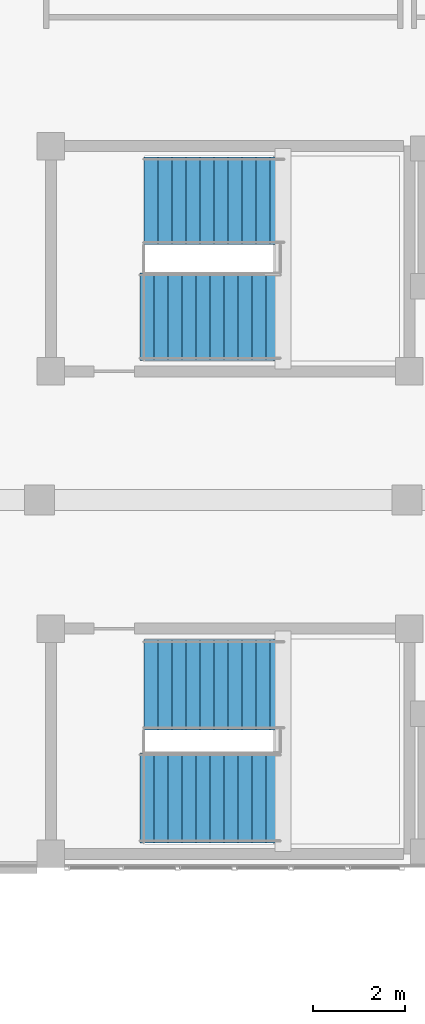
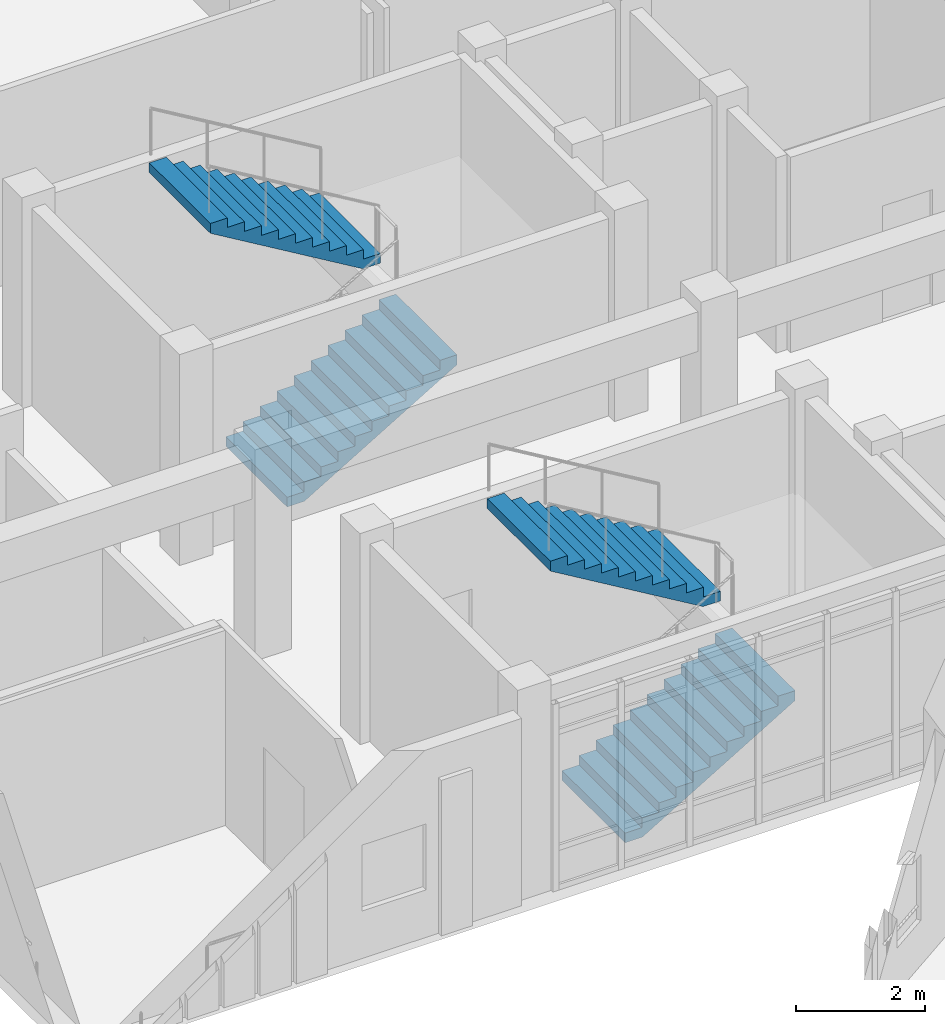
# One storey, part 135 of 149: 4 stair flights, 2 elements without a shape of their own.
"""IFC4 building model written with IfcOpenShell, lengths in metres."""

from ifc_helpers import new_model, si_unit, direction, frame, origin, place, context, subcontext, project, spatial, polyline, outline, extrude, material, type_object, element, aggregate, save


model = new_model("IFC4")

# Units and contexts
model_context = context("Model", 3, precision=1e-05, world=origin(), true_north=direction((0.0, 1.0)))
body_context = subcontext(model_context, "Body", "Model", "MODEL_VIEW")
ifc_project = project(units=[si_unit("LENGTHUNIT", "METRE"), si_unit("AREAUNIT", "SQUARE_METRE"), si_unit("VOLUMEUNIT", "CUBIC_METRE"), si_unit("PLANEANGLEUNIT", "RADIAN"), si_unit("MASSUNIT", "GRAM", prefix="KILO")], contexts=[model_context])

# Site, building, storey
site_placement = place(None, origin())
site = spatial("IfcSite", under=ifc_project, at=site_placement, CompositionType="ELEMENT")
building_placement = place(site_placement, origin())
building = spatial("IfcBuilding", under=site, at=building_placement, Name="Celadon Cloister-Ring School", CompositionType="ELEMENT")
storey_placement = place(building_placement, frame((0.0, 0.0, 12.5)))
storey = spatial("IfcBuildingStorey", under=building, at=storey_placement, Name="L03", CompositionType="ELEMENT", Elevation=12.5)

# Stair, stair flights
ifc_material_1 = material(Name="Concrete C35/45", Category="concrete")
stair_type_1 = type_object("IfcStairType", Name="ST-02", PredefinedType="HALF_TURN_STAIR", material=ifc_material_1)
stair_1_placement = place(storey_placement, origin())
stair_1 = element("IfcStair", 1, at=stair_1_placement, inside=storey, type_object=stair_type_1, Name="Exit Stair ST-V5A L03", PredefinedType="HALF_TURN_STAIR")
ifc_material_2 = material(Name="Concrete C35/45", Category="concrete")
stair_flight_type_1 = type_object("IfcStairFlightType", Name="SFL-01", PredefinedType="STRAIGHT", material=ifc_material_2)
stair_flight_1_placement = place(storey_placement, frame((10.18994140625, 41.52001953125, 0.0), z_axis=(0.0, 0.0, 1.0), x_axis=(1.0, 0.0, 0.0)))
stair_flight_1 = element("IfcStairFlight", 2, at=stair_flight_1_placement, type_object=stair_flight_type_1, Name="ST-02 flight 1", NumberOfRisers=11, NumberOfTreads=10, PredefinedType="STRAIGHT", RiserHeight=0.181818182, TreadLength=0.305, context=body_context, shape_type="SweptSolid", body=[
    extrude(outline(polyline([(0.0, 0.0), (0.0, 0.181884765625), (0.304931640625, 0.181884765625), (0.304931640625, 0.363525390625), (0.610107421875, 0.363525390625), (0.610107421875, 0.54541015625), (0.9150390625, 0.54541015625), (0.9150390625, 0.727294921875), (1.219970703125, 0.727294921875), (1.219970703125, 0.9091796875), (1.52490234375, 0.9091796875), (1.52490234375, 1.0908203125), (1.830078125, 1.0908203125), (1.830078125, 1.272705078125), (2.135009765625, 1.272705078125), (2.135009765625, 1.45458984375), (2.43994140625, 1.45458984375), (2.43994140625, 1.636474609375), (2.7451171875, 1.636474609375), (2.7451171875, 1.818115234375), (3.050048828125, 1.818115234375), (3.050048828125, 2.0), (3.050048828125, 1.632080078125), (0.312255859375, 0.0), (0.0, 0.0)])), frame((0.0, 0.97998046875, 0.0), z_axis=(0.0, -1.0, 0.0), x_axis=(1.0, 0.0, 0.0)), (0.0, 0.0, 1.0), 1.9599609375),
])
stair_flight_2_placement = place(storey_placement, frame((13.320068359375, 43.97998046875, 2.0), z_axis=(0.0, 0.0, 1.0), x_axis=(-1.0, 0.0, 0.0)))
stair_flight_2 = element("IfcStairFlight", 3, at=stair_flight_2_placement, type_object=stair_flight_type_1, Name="ST-02 flight 2", NumberOfRisers=11, NumberOfTreads=10, PredefinedType="STRAIGHT", RiserHeight=0.181818182, TreadLength=0.305, context=body_context, shape_type="SweptSolid", body=[
    extrude(outline(polyline([(0.0, 0.0), (0.0, 0.181884765625), (0.304931640625, 0.181884765625), (0.304931640625, 0.363525390625), (0.610107421875, 0.363525390625), (0.610107421875, 0.54541015625), (0.9150390625, 0.54541015625), (0.9150390625, 0.727294921875), (1.219970703125, 0.727294921875), (1.219970703125, 0.9091796875), (1.52490234375, 0.9091796875), (1.52490234375, 1.0908203125), (1.830078125, 1.0908203125), (1.830078125, 1.272705078125), (2.135009765625, 1.272705078125), (2.135009765625, 1.45458984375), (2.43994140625, 1.45458984375), (2.43994140625, 1.636474609375), (2.7451171875, 1.636474609375), (2.7451171875, 1.818115234375), (3.050048828125, 1.818115234375), (3.050048828125, 2.0), (3.050048828125, 1.632080078125), (0.312255859375, 0.0), (0.0, 0.0)])), frame((0.0, 0.97998046875, 0.0), z_axis=(0.0, -1.0, 0.0), x_axis=(1.0, 0.0, 0.0)), (0.0, 0.0, 1.0), 1.9599609375),
])
aggregate(stair_1, [stair_flight_1, stair_flight_2])

ifc_material_3 = material(Name="Concrete C35/45", Category="concrete")
stair_type_2 = type_object("IfcStairType", Name="ST-04", PredefinedType="HALF_TURN_STAIR", material=ifc_material_3)
stair_2_placement = place(storey_placement, origin())
stair_2 = element("IfcStair", 4, at=stair_2_placement, inside=storey, type_object=stair_type_2, Name="Exit Stair ST-V5B L03", PredefinedType="HALF_TURN_STAIR")
ifc_material_4 = material(Name="Concrete C35/45", Category="concrete")
stair_flight_type_2 = type_object("IfcStairFlightType", Name="SFL-02", PredefinedType="STRAIGHT", material=ifc_material_4)
stair_flight_3_placement = place(storey_placement, frame((10.18994140625, 51.989990234375, 0.0), z_axis=(0.0, 0.0, 1.0), x_axis=(1.0, 0.0, 0.0)))
stair_flight_3 = element("IfcStairFlight", 5, at=stair_flight_3_placement, type_object=stair_flight_type_2, Name="ST-04 flight 1", NumberOfRisers=11, NumberOfTreads=10, PredefinedType="STRAIGHT", RiserHeight=0.181818182, TreadLength=0.305, context=body_context, shape_type="SweptSolid", body=[
    extrude(outline(polyline([(0.0, 0.0), (0.0, 0.181884765625), (0.304931640625, 0.181884765625), (0.304931640625, 0.363525390625), (0.610107421875, 0.363525390625), (0.610107421875, 0.54541015625), (0.9150390625, 0.54541015625), (0.9150390625, 0.727294921875), (1.219970703125, 0.727294921875), (1.219970703125, 0.9091796875), (1.52490234375, 0.9091796875), (1.52490234375, 1.0908203125), (1.830078125, 1.0908203125), (1.830078125, 1.272705078125), (2.135009765625, 1.272705078125), (2.135009765625, 1.45458984375), (2.43994140625, 1.45458984375), (2.43994140625, 1.636474609375), (2.7451171875, 1.636474609375), (2.7451171875, 1.818115234375), (3.050048828125, 1.818115234375), (3.050048828125, 2.0), (3.050048828125, 1.632080078125), (0.312255859375, 0.0), (0.0, 0.0)])), frame((0.0, 0.949951171875, 0.0), z_axis=(0.0, -1.0, 0.0), x_axis=(1.0, 0.0, 0.0)), (0.0, 0.0, 1.0), 1.89990234375),
])
stair_flight_4_placement = place(storey_placement, frame((13.320068359375, 54.510009765625, 2.0), z_axis=(0.0, 0.0, 1.0), x_axis=(-1.0, 0.0, 0.0)))
stair_flight_4 = element("IfcStairFlight", 6, at=stair_flight_4_placement, type_object=stair_flight_type_2, Name="ST-04 flight 2", NumberOfRisers=11, NumberOfTreads=10, PredefinedType="STRAIGHT", RiserHeight=0.181818182, TreadLength=0.305, context=body_context, shape_type="SweptSolid", body=[
    extrude(outline(polyline([(0.0, 0.0), (0.0, 0.181884765625), (0.304931640625, 0.181884765625), (0.304931640625, 0.363525390625), (0.610107421875, 0.363525390625), (0.610107421875, 0.54541015625), (0.9150390625, 0.54541015625), (0.9150390625, 0.727294921875), (1.219970703125, 0.727294921875), (1.219970703125, 0.9091796875), (1.52490234375, 0.9091796875), (1.52490234375, 1.0908203125), (1.830078125, 1.0908203125), (1.830078125, 1.272705078125), (2.135009765625, 1.272705078125), (2.135009765625, 1.45458984375), (2.43994140625, 1.45458984375), (2.43994140625, 1.636474609375), (2.7451171875, 1.636474609375), (2.7451171875, 1.818115234375), (3.050048828125, 1.818115234375), (3.050048828125, 2.0), (3.050048828125, 1.632080078125), (0.312255859375, 0.0), (0.0, 0.0)])), frame((0.0, 0.949951171875, 0.0), z_axis=(0.0, -1.0, 0.0), x_axis=(1.0, 0.0, 0.0)), (0.0, 0.0, 1.0), 1.89990234375),
])
aggregate(stair_2, [stair_flight_3, stair_flight_4])

save(model, "model.ifc")
